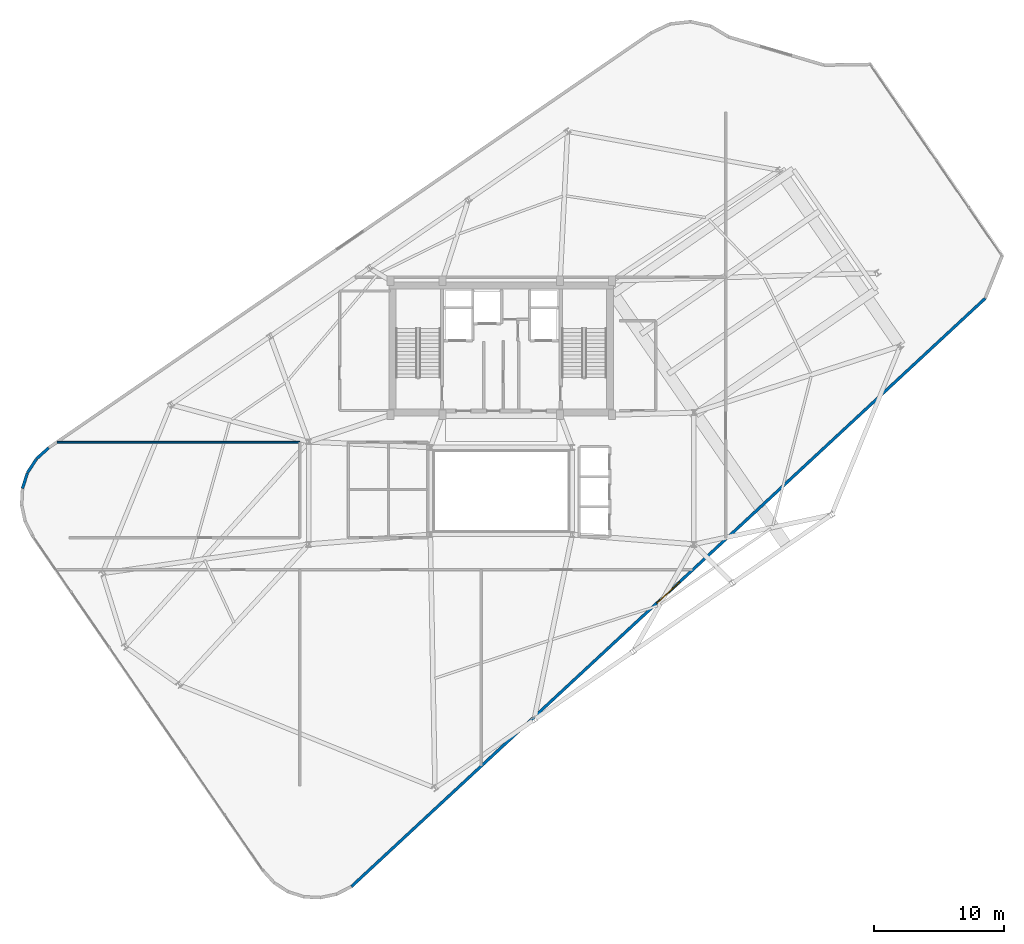
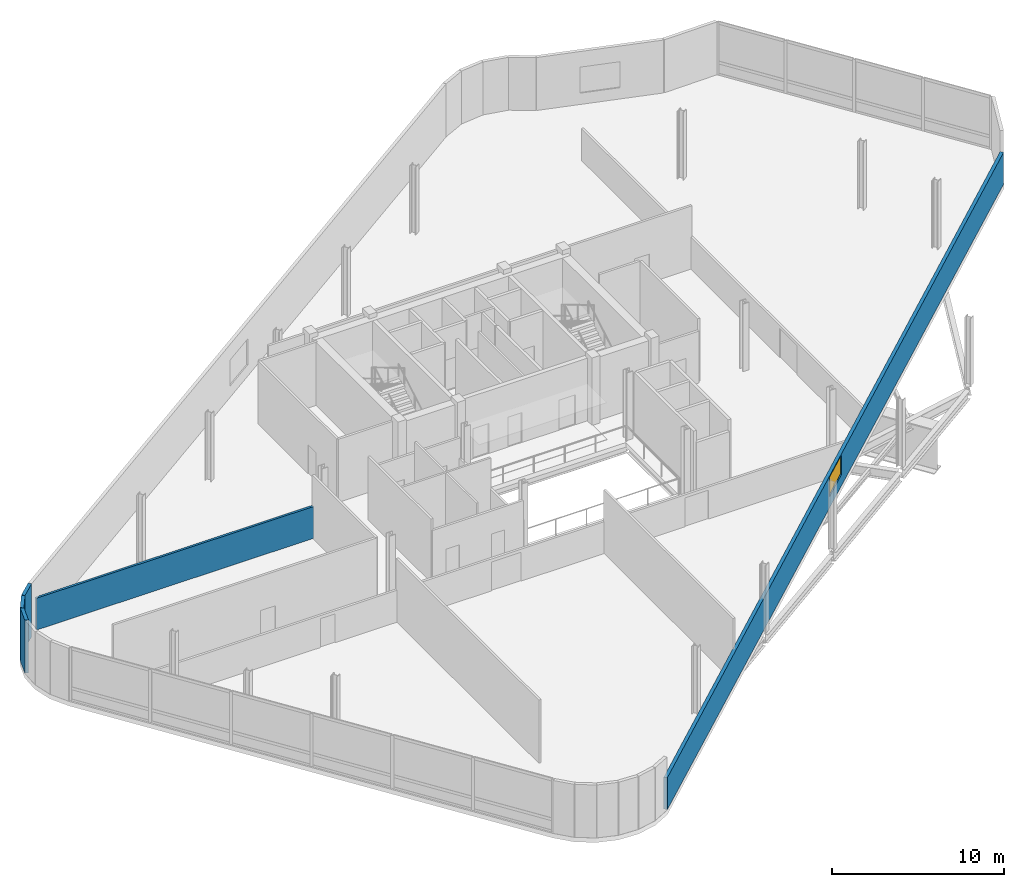
# One storey, part 12 of 15: 5 walls, 1 window, 1 opening.
"""IFC4 building model written with IfcOpenShell, lengths in metres."""

from ifc_helpers import new_model, si_unit, direction, frame, frame_2d, origin, place, context, subcontext, project, spatial, rectangle, extrude, material, layer, layer_set, type_object, element, fill, save


model = new_model("IFC4")

# Units and contexts
model_context = context("Model", 3, precision=1e-05, world=origin(), true_north=direction((0.0, 1.0)))
body_context = subcontext(model_context, "Body", "Model", "MODEL_VIEW")
ifc_project = project(units=[si_unit("LENGTHUNIT", "METRE"), si_unit("AREAUNIT", "SQUARE_METRE"), si_unit("VOLUMEUNIT", "CUBIC_METRE"), si_unit("PLANEANGLEUNIT", "RADIAN"), si_unit("MASSUNIT", "GRAM", prefix="KILO")], contexts=[model_context])

# Site, building, storey
site_placement = place(None, origin())
site = spatial("IfcSite", under=ifc_project, at=site_placement, CompositionType="ELEMENT")
building_placement = place(site_placement, origin())
building = spatial("IfcBuilding", under=site, at=building_placement, Name="Varnelok Gate Tower", CompositionType="ELEMENT")
storey_placement = place(building_placement, frame((0.0, 0.0, 291.5)))
storey = spatial("IfcBuildingStorey", under=building, at=storey_placement, Name="L75", CompositionType="ELEMENT", Elevation=291.5)

# Wall, opening, window
ifc_material_1 = material(Name="Concrete C45/55", Category="concrete")
ifc_layer_1 = layer(ifc_material_1, 0.219970703125)
ifc_layer_set_1 = layer_set([ifc_layer_1], Name="Concrete C45/55")
wall_type_1 = type_object("IfcWallType", Name="EW-BALC-220", PredefinedType="SOLIDWALL", material=ifc_layer_set_1)
wall_1_placement = place(storey_placement, frame((27.693359375, -7.48876953125, 0.0), z_axis=(0.0, 0.0, 1.0), x_axis=(0.733009701217, 0.680218184057, 0.0)))
wall_1 = element("IfcWall", 1, at=wall_1_placement, inside=storey, type_object=wall_type_1, Name="L75 Perimeter Facade Closure Wall 7", PredefinedType="SOLIDWALL", context=body_context, shape_type="SweptSolid", body=[
    extrude(rectangle(XDim=66.427978515625, YDim=0.219970703125, at=frame_2d((33.2138671875, 0.0))), origin(), (0.0, 0.0, 1.0), 2.264892578125),
])
opening_placement = place(wall_1_placement, frame((32.013916015625, 0.0, 0.800048828125)))
opening = element("IfcOpeningElement", 2, at=opening_placement, cuts=wall_1, Name="Opening WN6B", PredefinedType="OPENING", context=body_context, shape_type="SweptSolid", body=[
    extrude(rectangle(XDim=2.39990234375, YDim=1.385009765625, at=frame_2d((1.199951171875, 0.6923828125))), frame((0.0, 0.119873046875, 0.0), z_axis=(0.0, -1.0, 0.0), x_axis=(1.0, 0.0, 0.0)), (0.0, 0.0, 1.0), 0.239990234375),
])
ifc_material_2 = material(Name="Low-E Laminated Double Glazing IGU", Category="glass")
window_type = type_object("IfcWindowType", Name="WN-PEN-2400X1385", PartitioningType="SINGLE_PANEL", PredefinedType="WINDOW", material=ifc_material_2)
window_placement = place(opening_placement, origin())
window = element("IfcWindow", 3, at=window_placement, inside=storey, type_object=window_type, Name="L75 Perimeter Vision Window 7", OverallHeight=1.385009765625, OverallWidth=2.39990234375, PartitioningType="SINGLE_PANEL", PredefinedType="WINDOW", context=body_context, shape_type="SweptSolid", body=[
    extrude(rectangle(XDim=2.39990234375, YDim=1.385009765625, at=frame_2d((1.199951171875, 0.6923828125))), frame((0.0, 0.030029296875, 0.0), z_axis=(0.0, -1.0, 0.0), x_axis=(1.0, 0.0, 0.0)), (0.0, 0.0, 1.0), 0.06005859375),
])
fill(opening, window)

# Walls
wall_2_placement = place(storey_placement, frame((4.428955078125, 26.21337890625, 0.0), z_axis=(0.0, 0.0, 1.0), x_axis=(-0.742414330744, -0.669941013453, 0.0)))
element("IfcWall", 4, at=wall_2_placement, inside=storey, type_object=wall_type_1, Name="L75 Perimeter Facade Closure Wall 16", PredefinedType="SOLIDWALL", context=body_context, shape_type="SweptSolid", body=[
    extrude(rectangle(XDim=1.256591796875, YDim=0.219970703125, at=frame_2d((0.62841796875, 0.0))), origin(), (0.0, 0.0, 1.0), 3.760009765625),
])
for number, where, z_axis, x_axis, name in (
    (5, (3.482421875, 25.3505859375, 0.0), (0.0, 0.0, 1.0), (-0.543778157277, -0.839229000731, 0.0), "L75 Perimeter Facade Closure Wall 17"),
    (6, (2.7958984375, 24.27880859375, 0.0), (0.0, 0.0, 1.0), (-0.30817950344, -0.951328226039, 0.0), "L75 Perimeter Facade Closure Wall 18"),
):
    element("IfcWall", number, at=place(storey_placement, frame(where, z_axis=z_axis, x_axis=x_axis)), inside=storey, type_object=wall_type_1, Name=name, PredefinedType="SOLIDWALL", context=body_context, shape_type="SweptSolid", body=[
        extrude(rectangle(XDim=1.24853515625, YDim=0.219970703125, at=frame_2d((0.624267578125, 0.0))), origin(), (0.0, 0.0, 1.0), 3.760009765625),
    ])
ifc_material_3 = material(Name="Gypsum Plasterboard Acoustic Partition", Category="gypsum")
ifc_layer_2 = layer(ifc_material_3, 0.14990234375)
ifc_layer_set_2 = layer_set([ifc_layer_2], Name="Gypsum Plasterboard Acoustic Partition")
wall_type_2 = type_object("IfcWallType", Name="PW-PART-150", PredefinedType="PARTITIONING", material=ifc_layer_set_2)
wall_3_placement = place(storey_placement, frame((5.077880859375, 26.639892578125, 0.0), z_axis=(0.0, 0.0, 1.0), x_axis=(1.0, 0.0, 0.0)))
element("IfcWall", 7, at=wall_3_placement, inside=storey, type_object=wall_type_2, Name="Interior Partition", PredefinedType="PARTITIONING", context=body_context, shape_type="SweptSolid", body=[
    extrude(rectangle(XDim=18.64208984375, YDim=0.14990234375, at=frame_2d((9.321044921875, 0.0))), origin(), (0.0, 0.0, 1.0), 2.264892578125),
])

save(model, "model.ifc")
